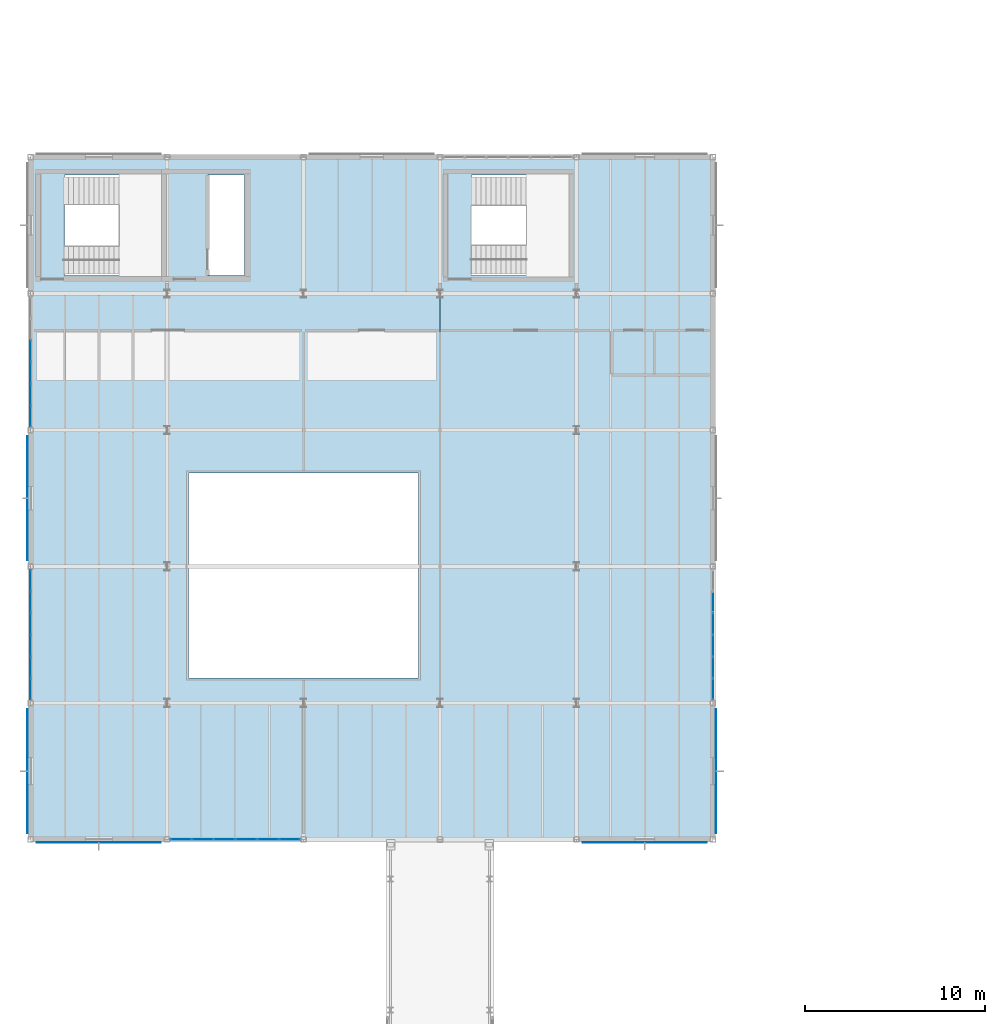
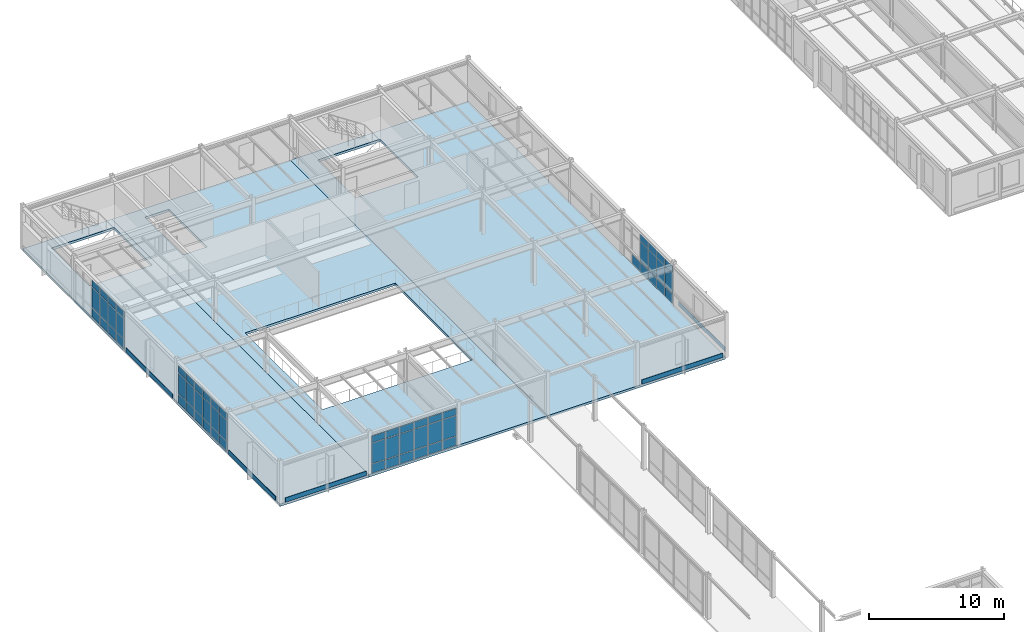
# One storey, part 125 of 165: 66 plates, 3 slabs, 4 elements without a shape of their own.
"""IFC4 building model written with IfcOpenShell, lengths in metres."""

from ifc_helpers import new_model, si_unit, direction, frame, origin, origin_2d, place, context, subcontext, project, spatial, polyline, rectangle, outline, extrude, material, layer, layer_set, type_object, element, aggregate, save


model = new_model("IFC4")

# Units and contexts
model_context = context("Model", 3, precision=1e-05, world=origin(), true_north=direction((0.0, 1.0)))
body_context = subcontext(model_context, "Body", "Model", "MODEL_VIEW")
ifc_project = project(units=[si_unit("LENGTHUNIT", "METRE"), si_unit("AREAUNIT", "SQUARE_METRE"), si_unit("VOLUMEUNIT", "CUBIC_METRE"), si_unit("PLANEANGLEUNIT", "RADIAN"), si_unit("MASSUNIT", "GRAM", prefix="KILO")], contexts=[model_context])

# Site, building, storey
site_placement = place(None, origin())
site = spatial("IfcSite", under=ifc_project, at=site_placement, CompositionType="ELEMENT")
building_placement = place(site_placement, origin())
building = spatial("IfcBuilding", under=site, at=building_placement, Name="Montecoro Central Library", CompositionType="ELEMENT")
storey_placement = place(building_placement, frame((0.0, 0.0, 5.10009765625)))
storey = spatial("IfcBuildingStorey", under=building, at=storey_placement, Name="L01", CompositionType="ELEMENT", Elevation=5.10009765625)

# Curtain wall, plates
ifc_material_1 = material(Name="Bronze-anodised aluminium and low-E glazing", Category="aluminium")
ifc_layer_1 = layer(ifc_material_1, 0.159912109375)
ifc_layer_set_1 = layer_set([ifc_layer_1], Name="Bronze-anodised aluminium and low-E glazing")
curtain_wall_type_1 = type_object("IfcCurtainWallType", Name="CWT-045", PredefinedType="NOTDEFINED", material=ifc_layer_set_1)
curtain_wall_1_placement = place(storey_placement, origin())
curtain_wall_1 = element("IfcCurtainWall", 1, at=curtain_wall_1_placement, inside=storey, type_object=curtain_wall_type_1, Name="V4-L01-CW-W3", PredefinedType="NOTDEFINED")
ifc_material_2 = material(Name="Laminated low-E double glazing", Category="glass")
ifc_layer_2 = layer(ifc_material_2, 0.02587890625)
ifc_layer_set_2 = layer_set([ifc_layer_2], Name="Laminated low-E double glazing")
plate_type_1 = type_object("IfcPlateType", Name="CWP-GLZ-01", PredefinedType="CURTAIN_PANEL", material=ifc_layer_set_2)
plate_1_placement = place(storey_placement, frame((5.0, 100.60791015625, 0.059814453125), z_axis=(0.0, 0.0, 1.0), x_axis=(0.0, -1.0, 0.0)))
plate_1 = element("IfcPlate", 2, at=plate_1_placement, type_object=plate_type_1, Name="CW-045 panel 3.1", PredefinedType="CURTAIN_PANEL", context=body_context, shape_type="SweptSolid", body=[
    extrude(rectangle(XDim=1.15576171875, YDim=0.02587890625, at=origin_2d()), origin(), (0.0, 0.0, 1.0), 0.81005859375),
])
plate_2_placement = place(storey_placement, frame((5.0, 100.60791015625, 0.9296875), z_axis=(0.0, 0.0, 1.0), x_axis=(0.0, -1.0, 0.0)))
plate_2 = element("IfcPlate", 3, at=plate_2_placement, type_object=plate_type_1, Name="CW-045 panel 3.2", PredefinedType="CURTAIN_PANEL", context=body_context, shape_type="SweptSolid", body=[
    extrude(rectangle(XDim=1.15576171875, YDim=0.02587890625, at=origin_2d()), origin(), (0.0, 0.0, 1.0), 1.820068359375),
])
plate_3_placement = place(storey_placement, frame((5.0, 100.60791015625, 2.81005859375), z_axis=(0.0, 0.0, 1.0), x_axis=(0.0, -1.0, 0.0)))
plate_3 = element("IfcPlate", 4, at=plate_3_placement, type_object=plate_type_1, Name="CW-045 panel 3.3", PredefinedType="CURTAIN_PANEL", context=body_context, shape_type="SweptSolid", body=[
    extrude(rectangle(XDim=1.15576171875, YDim=0.02587890625, at=origin_2d()), origin(), (0.0, 0.0, 1.0), 0.610107421875),
])
plate_4_placement = place(storey_placement, frame((5.0, 99.39208984375, 0.059814453125), z_axis=(0.0, 0.0, 1.0), x_axis=(0.0, -1.0, 0.0)))
plate_4 = element("IfcPlate", 5, at=plate_4_placement, type_object=plate_type_1, Name="CW-045 panel 4.1", PredefinedType="CURTAIN_PANEL", context=body_context, shape_type="SweptSolid", body=[
    extrude(rectangle(XDim=1.15576171875, YDim=0.02587890625, at=origin_2d()), origin(), (0.0, 0.0, 1.0), 0.81005859375),
])
plate_5_placement = place(storey_placement, frame((5.0, 99.39208984375, 0.9296875), z_axis=(0.0, 0.0, 1.0), x_axis=(0.0, -1.0, 0.0)))
plate_5 = element("IfcPlate", 6, at=plate_5_placement, type_object=plate_type_1, Name="CW-045 panel 4.2", PredefinedType="CURTAIN_PANEL", context=body_context, shape_type="SweptSolid", body=[
    extrude(rectangle(XDim=1.15576171875, YDim=0.02587890625, at=origin_2d()), origin(), (0.0, 0.0, 1.0), 1.820068359375),
])
plate_6_placement = place(storey_placement, frame((5.0, 99.39208984375, 2.81005859375), z_axis=(0.0, 0.0, 1.0), x_axis=(0.0, -1.0, 0.0)))
plate_6 = element("IfcPlate", 7, at=plate_6_placement, type_object=plate_type_1, Name="CW-045 panel 4.3", PredefinedType="CURTAIN_PANEL", context=body_context, shape_type="SweptSolid", body=[
    extrude(rectangle(XDim=1.15576171875, YDim=0.02587890625, at=origin_2d()), origin(), (0.0, 0.0, 1.0), 0.610107421875),
])
plate_7_placement = place(storey_placement, frame((5.0, 98.176513671875, 0.059814453125), z_axis=(0.0, 0.0, 1.0), x_axis=(0.0, -1.0, 0.0)))
plate_7 = element("IfcPlate", 8, at=plate_7_placement, type_object=plate_type_1, Name="CW-045 panel 5.1", PredefinedType="CURTAIN_PANEL", context=body_context, shape_type="SweptSolid", body=[
    extrude(rectangle(XDim=1.15576171875, YDim=0.02587890625, at=origin_2d()), origin(), (0.0, 0.0, 1.0), 0.81005859375),
])
plate_8_placement = place(storey_placement, frame((5.0, 98.176513671875, 0.9296875), z_axis=(0.0, 0.0, 1.0), x_axis=(0.0, -1.0, 0.0)))
plate_8 = element("IfcPlate", 9, at=plate_8_placement, type_object=plate_type_1, Name="CW-045 panel 5.2", PredefinedType="CURTAIN_PANEL", context=body_context, shape_type="SweptSolid", body=[
    extrude(rectangle(XDim=1.15576171875, YDim=0.02587890625, at=origin_2d()), origin(), (0.0, 0.0, 1.0), 1.820068359375),
])
plate_9_placement = place(storey_placement, frame((5.0, 98.176513671875, 2.81005859375), z_axis=(0.0, 0.0, 1.0), x_axis=(0.0, -1.0, 0.0)))
plate_9 = element("IfcPlate", 10, at=plate_9_placement, type_object=plate_type_1, Name="CW-045 panel 5.3", PredefinedType="CURTAIN_PANEL", context=body_context, shape_type="SweptSolid", body=[
    extrude(rectangle(XDim=1.15576171875, YDim=0.02587890625, at=origin_2d()), origin(), (0.0, 0.0, 1.0), 0.610107421875),
])
plate_10_placement = place(storey_placement, frame((5.0, 96.975830078125, 0.059814453125), z_axis=(0.0, 0.0, 1.0), x_axis=(0.0, -1.0, 0.0)))
plate_10 = element("IfcPlate", 11, at=plate_10_placement, type_object=plate_type_1, Name="CW-045 panel 6.1", PredefinedType="CURTAIN_PANEL", context=body_context, shape_type="SweptSolid", body=[
    extrude(rectangle(XDim=1.125732421875, YDim=0.02587890625, at=origin_2d()), origin(), (0.0, 0.0, 1.0), 0.81005859375),
])
plate_11_placement = place(storey_placement, frame((5.0, 96.975830078125, 0.9296875), z_axis=(0.0, 0.0, 1.0), x_axis=(0.0, -1.0, 0.0)))
plate_11 = element("IfcPlate", 12, at=plate_11_placement, type_object=plate_type_1, Name="CW-045 panel 6.2", PredefinedType="CURTAIN_PANEL", context=body_context, shape_type="SweptSolid", body=[
    extrude(rectangle(XDim=1.125732421875, YDim=0.02587890625, at=origin_2d()), origin(), (0.0, 0.0, 1.0), 1.820068359375),
])
plate_12_placement = place(storey_placement, frame((5.0, 96.975830078125, 2.81005859375), z_axis=(0.0, 0.0, 1.0), x_axis=(0.0, -1.0, 0.0)))
plate_12 = element("IfcPlate", 13, at=plate_12_placement, type_object=plate_type_1, Name="CW-045 panel 6.3", PredefinedType="CURTAIN_PANEL", context=body_context, shape_type="SweptSolid", body=[
    extrude(rectangle(XDim=1.125732421875, YDim=0.02587890625, at=origin_2d()), origin(), (0.0, 0.0, 1.0), 0.610107421875),
])
aggregate(curtain_wall_1, [plate_1, plate_2, plate_3, plate_4, plate_5, plate_6, plate_7, plate_8, plate_9, plate_10, plate_11, plate_12])

ifc_layer_3 = layer(ifc_material_1, 0.159912109375)
ifc_layer_set_3 = layer_set([ifc_layer_3], Name="Bronze-anodised aluminium and low-E glazing")
curtain_wall_type_2 = type_object("IfcCurtainWallType", Name="CWT-042", PredefinedType="NOTDEFINED", material=ifc_layer_set_3)
curtain_wall_2_placement = place(storey_placement, origin())
curtain_wall_2 = element("IfcCurtainWall", 14, at=curtain_wall_2_placement, inside=storey, type_object=curtain_wall_type_2, Name="V4-L01-CW-S1", PredefinedType="NOTDEFINED")
ifc_layer_4 = layer(ifc_material_2, 0.0380859375)
ifc_layer_set_4 = layer_set([ifc_layer_4], Name="Laminated low-E double glazing")
plate_type_2 = type_object("IfcPlateType", Name="CWP-GLZ-04", PredefinedType="CURTAIN_PANEL", material=ifc_layer_set_4)
plate_13_placement = place(storey_placement, frame((13.375732421875, 73.39990234375, 0.059814453125), z_axis=(0.0, 0.0, 1.0), x_axis=(1.0, 0.0, 0.0)))
plate_13 = element("IfcPlate", 15, at=plate_13_placement, type_object=plate_type_2, Name="CW-042 panel 1.1", PredefinedType="CURTAIN_PANEL", context=body_context, shape_type="SweptSolid", body=[
    extrude(rectangle(XDim=1.125732421875, YDim=0.0380859375, at=origin_2d()), origin(), (0.0, 0.0, 1.0), 0.81005859375),
])
plate_14_placement = place(storey_placement, frame((13.375732421875, 73.39990234375, 0.9296875), z_axis=(0.0, 0.0, 1.0), x_axis=(1.0, 0.0, 0.0)))
plate_14 = element("IfcPlate", 16, at=plate_14_placement, type_object=plate_type_2, Name="CW-042 panel 1.2", PredefinedType="CURTAIN_PANEL", context=body_context, shape_type="SweptSolid", body=[
    extrude(rectangle(XDim=1.125732421875, YDim=0.0380859375, at=origin_2d()), origin(), (0.0, 0.0, 1.0), 1.820068359375),
])
plate_15_placement = place(storey_placement, frame((13.375732421875, 73.39990234375, 2.81005859375), z_axis=(0.0, 0.0, 1.0), x_axis=(1.0, 0.0, 0.0)))
plate_15 = element("IfcPlate", 17, at=plate_15_placement, type_object=plate_type_2, Name="CW-042 panel 1.3", PredefinedType="CURTAIN_PANEL", context=body_context, shape_type="SweptSolid", body=[
    extrude(rectangle(XDim=1.125732421875, YDim=0.0380859375, at=origin_2d()), origin(), (0.0, 0.0, 1.0), 0.610107421875),
])
plate_16_placement = place(storey_placement, frame((14.576416015625, 73.39990234375, 0.059814453125), z_axis=(0.0, 0.0, 1.0), x_axis=(1.0, 0.0, 0.0)))
plate_16 = element("IfcPlate", 18, at=plate_16_placement, type_object=plate_type_2, Name="CW-042 panel 2.1", PredefinedType="CURTAIN_PANEL", context=body_context, shape_type="SweptSolid", body=[
    extrude(rectangle(XDim=1.15576171875, YDim=0.0380859375, at=origin_2d()), origin(), (0.0, 0.0, 1.0), 0.81005859375),
])
plate_17_placement = place(storey_placement, frame((14.576416015625, 73.39990234375, 0.9296875), z_axis=(0.0, 0.0, 1.0), x_axis=(1.0, 0.0, 0.0)))
plate_17 = element("IfcPlate", 19, at=plate_17_placement, type_object=plate_type_2, Name="CW-042 panel 2.2", PredefinedType="CURTAIN_PANEL", context=body_context, shape_type="SweptSolid", body=[
    extrude(rectangle(XDim=1.15576171875, YDim=0.0380859375, at=origin_2d()), origin(), (0.0, 0.0, 1.0), 1.820068359375),
])
plate_18_placement = place(storey_placement, frame((14.576416015625, 73.39990234375, 2.81005859375), z_axis=(0.0, 0.0, 1.0), x_axis=(1.0, 0.0, 0.0)))
plate_18 = element("IfcPlate", 20, at=plate_18_placement, type_object=plate_type_2, Name="CW-042 panel 2.3", PredefinedType="CURTAIN_PANEL", context=body_context, shape_type="SweptSolid", body=[
    extrude(rectangle(XDim=1.15576171875, YDim=0.0380859375, at=origin_2d()), origin(), (0.0, 0.0, 1.0), 0.610107421875),
])
plate_19_placement = place(storey_placement, frame((15.792236328125, 73.39990234375, 0.059814453125), z_axis=(0.0, 0.0, 1.0), x_axis=(1.0, 0.0, 0.0)))
plate_19 = element("IfcPlate", 21, at=plate_19_placement, type_object=plate_type_2, Name="CW-042 panel 3.1", PredefinedType="CURTAIN_PANEL", context=body_context, shape_type="SweptSolid", body=[
    extrude(rectangle(XDim=1.15576171875, YDim=0.0380859375, at=origin_2d()), origin(), (0.0, 0.0, 1.0), 0.81005859375),
])
plate_20_placement = place(storey_placement, frame((15.792236328125, 73.39990234375, 0.9296875), z_axis=(0.0, 0.0, 1.0), x_axis=(1.0, 0.0, 0.0)))
plate_20 = element("IfcPlate", 22, at=plate_20_placement, type_object=plate_type_2, Name="CW-042 panel 3.2", PredefinedType="CURTAIN_PANEL", context=body_context, shape_type="SweptSolid", body=[
    extrude(rectangle(XDim=1.15576171875, YDim=0.0380859375, at=origin_2d()), origin(), (0.0, 0.0, 1.0), 1.820068359375),
])
plate_21_placement = place(storey_placement, frame((15.792236328125, 73.39990234375, 2.81005859375), z_axis=(0.0, 0.0, 1.0), x_axis=(1.0, 0.0, 0.0)))
plate_21 = element("IfcPlate", 23, at=plate_21_placement, type_object=plate_type_2, Name="CW-042 panel 3.3", PredefinedType="CURTAIN_PANEL", context=body_context, shape_type="SweptSolid", body=[
    extrude(rectangle(XDim=1.15576171875, YDim=0.0380859375, at=origin_2d()), origin(), (0.0, 0.0, 1.0), 0.610107421875),
])
plate_22_placement = place(storey_placement, frame((17.0078125, 73.39990234375, 0.059814453125), z_axis=(0.0, 0.0, 1.0), x_axis=(1.0, 0.0, 0.0)))
plate_22 = element("IfcPlate", 24, at=plate_22_placement, type_object=plate_type_2, Name="CW-042 panel 4.1", PredefinedType="CURTAIN_PANEL", context=body_context, shape_type="SweptSolid", body=[
    extrude(rectangle(XDim=1.15576171875, YDim=0.0380859375, at=origin_2d()), origin(), (0.0, 0.0, 1.0), 0.81005859375),
])
plate_23_placement = place(storey_placement, frame((17.0078125, 73.39990234375, 0.9296875), z_axis=(0.0, 0.0, 1.0), x_axis=(1.0, 0.0, 0.0)))
plate_23 = element("IfcPlate", 25, at=plate_23_placement, type_object=plate_type_2, Name="CW-042 panel 4.2", PredefinedType="CURTAIN_PANEL", context=body_context, shape_type="SweptSolid", body=[
    extrude(rectangle(XDim=1.15576171875, YDim=0.0380859375, at=origin_2d()), origin(), (0.0, 0.0, 1.0), 1.820068359375),
])
plate_24_placement = place(storey_placement, frame((17.0078125, 73.39990234375, 2.81005859375), z_axis=(0.0, 0.0, 1.0), x_axis=(1.0, 0.0, 0.0)))
plate_24 = element("IfcPlate", 26, at=plate_24_placement, type_object=plate_type_2, Name="CW-042 panel 4.3", PredefinedType="CURTAIN_PANEL", context=body_context, shape_type="SweptSolid", body=[
    extrude(rectangle(XDim=1.15576171875, YDim=0.0380859375, at=origin_2d()), origin(), (0.0, 0.0, 1.0), 0.610107421875),
])
plate_25_placement = place(storey_placement, frame((18.223388671875, 73.39990234375, 0.059814453125), z_axis=(0.0, 0.0, 1.0), x_axis=(1.0, 0.0, 0.0)))
plate_25 = element("IfcPlate", 27, at=plate_25_placement, type_object=plate_type_2, Name="CW-042 panel 5.1", PredefinedType="CURTAIN_PANEL", context=body_context, shape_type="SweptSolid", body=[
    extrude(rectangle(XDim=1.15576171875, YDim=0.0380859375, at=origin_2d()), origin(), (0.0, 0.0, 1.0), 0.81005859375),
])
plate_26_placement = place(storey_placement, frame((18.223388671875, 73.39990234375, 0.9296875), z_axis=(0.0, 0.0, 1.0), x_axis=(1.0, 0.0, 0.0)))
plate_26 = element("IfcPlate", 28, at=plate_26_placement, type_object=plate_type_2, Name="CW-042 panel 5.2", PredefinedType="CURTAIN_PANEL", context=body_context, shape_type="SweptSolid", body=[
    extrude(rectangle(XDim=1.15576171875, YDim=0.0380859375, at=origin_2d()), origin(), (0.0, 0.0, 1.0), 1.820068359375),
])
plate_27_placement = place(storey_placement, frame((18.223388671875, 73.39990234375, 2.81005859375), z_axis=(0.0, 0.0, 1.0), x_axis=(1.0, 0.0, 0.0)))
plate_27 = element("IfcPlate", 29, at=plate_27_placement, type_object=plate_type_2, Name="CW-042 panel 5.3", PredefinedType="CURTAIN_PANEL", context=body_context, shape_type="SweptSolid", body=[
    extrude(rectangle(XDim=1.15576171875, YDim=0.0380859375, at=origin_2d()), origin(), (0.0, 0.0, 1.0), 0.610107421875),
])
plate_28_placement = place(storey_placement, frame((19.424072265625, 73.39990234375, 0.059814453125), z_axis=(0.0, 0.0, 1.0), x_axis=(1.0, 0.0, 0.0)))
plate_28 = element("IfcPlate", 30, at=plate_28_placement, type_object=plate_type_2, Name="CW-042 panel 6.1", PredefinedType="CURTAIN_PANEL", context=body_context, shape_type="SweptSolid", body=[
    extrude(rectangle(XDim=1.125732421875, YDim=0.0380859375, at=origin_2d()), origin(), (0.0, 0.0, 1.0), 0.81005859375),
])
plate_29_placement = place(storey_placement, frame((19.424072265625, 73.39990234375, 0.9296875), z_axis=(0.0, 0.0, 1.0), x_axis=(1.0, 0.0, 0.0)))
plate_29 = element("IfcPlate", 31, at=plate_29_placement, type_object=plate_type_2, Name="CW-042 panel 6.2", PredefinedType="CURTAIN_PANEL", context=body_context, shape_type="SweptSolid", body=[
    extrude(rectangle(XDim=1.125732421875, YDim=0.0380859375, at=origin_2d()), origin(), (0.0, 0.0, 1.0), 1.820068359375),
])
plate_30_placement = place(storey_placement, frame((19.424072265625, 73.39990234375, 2.81005859375), z_axis=(0.0, 0.0, 1.0), x_axis=(1.0, 0.0, 0.0)))
plate_30 = element("IfcPlate", 32, at=plate_30_placement, type_object=plate_type_2, Name="CW-042 panel 6.3", PredefinedType="CURTAIN_PANEL", context=body_context, shape_type="SweptSolid", body=[
    extrude(rectangle(XDim=1.125732421875, YDim=0.0380859375, at=origin_2d()), origin(), (0.0, 0.0, 1.0), 0.610107421875),
])
aggregate(curtain_wall_2, [plate_13, plate_14, plate_15, plate_16, plate_17, plate_18, plate_19, plate_20, plate_21, plate_22, plate_23, plate_24, plate_25, plate_26, plate_27, plate_28, plate_29, plate_30])

ifc_layer_5 = layer(ifc_material_1, 0.159912109375)
ifc_layer_set_5 = layer_set([ifc_layer_5], Name="Bronze-anodised aluminium and low-E glazing")
curtain_wall_type_3 = type_object("IfcCurtainWallType", Name="CWT-043", PredefinedType="NOTDEFINED", material=ifc_layer_set_5)
curtain_wall_3_placement = place(storey_placement, origin())
curtain_wall_3 = element("IfcCurtainWall", 33, at=curtain_wall_3_placement, inside=storey, type_object=curtain_wall_type_3, Name="V4-L01-CW-E1", PredefinedType="NOTDEFINED")
plate_31_placement = place(storey_placement, frame((43.0, 81.77587890625, 0.059814453125), z_axis=(0.0, 0.0, 1.0), x_axis=(0.0, 1.0, 0.0)))
plate_31 = element("IfcPlate", 34, at=plate_31_placement, type_object=plate_type_2, Name="CW-043 panel 1.1", PredefinedType="CURTAIN_PANEL", context=body_context, shape_type="SweptSolid", body=[
    extrude(rectangle(XDim=1.125732421875, YDim=0.0380859375, at=origin_2d()), origin(), (0.0, 0.0, 1.0), 0.81005859375),
])
plate_32_placement = place(storey_placement, frame((43.0, 81.77587890625, 0.9296875), z_axis=(0.0, 0.0, 1.0), x_axis=(0.0, 1.0, 0.0)))
plate_32 = element("IfcPlate", 35, at=plate_32_placement, type_object=plate_type_2, Name="CW-043 panel 1.2", PredefinedType="CURTAIN_PANEL", context=body_context, shape_type="SweptSolid", body=[
    extrude(rectangle(XDim=1.125732421875, YDim=0.0380859375, at=origin_2d()), origin(), (0.0, 0.0, 1.0), 1.820068359375),
])
plate_33_placement = place(storey_placement, frame((43.0, 81.77587890625, 2.81005859375), z_axis=(0.0, 0.0, 1.0), x_axis=(0.0, 1.0, 0.0)))
plate_33 = element("IfcPlate", 36, at=plate_33_placement, type_object=plate_type_2, Name="CW-043 panel 1.3", PredefinedType="CURTAIN_PANEL", context=body_context, shape_type="SweptSolid", body=[
    extrude(rectangle(XDim=1.125732421875, YDim=0.0380859375, at=origin_2d()), origin(), (0.0, 0.0, 1.0), 0.610107421875),
])
plate_34_placement = place(storey_placement, frame((43.0, 82.9765625, 0.059814453125), z_axis=(0.0, 0.0, 1.0), x_axis=(0.0, 1.0, 0.0)))
plate_34 = element("IfcPlate", 37, at=plate_34_placement, type_object=plate_type_2, Name="CW-043 panel 2.1", PredefinedType="CURTAIN_PANEL", context=body_context, shape_type="SweptSolid", body=[
    extrude(rectangle(XDim=1.15576171875, YDim=0.0380859375, at=origin_2d()), origin(), (0.0, 0.0, 1.0), 0.81005859375),
])
plate_35_placement = place(storey_placement, frame((43.0, 82.9765625, 0.9296875), z_axis=(0.0, 0.0, 1.0), x_axis=(0.0, 1.0, 0.0)))
plate_35 = element("IfcPlate", 38, at=plate_35_placement, type_object=plate_type_2, Name="CW-043 panel 2.2", PredefinedType="CURTAIN_PANEL", context=body_context, shape_type="SweptSolid", body=[
    extrude(rectangle(XDim=1.15576171875, YDim=0.0380859375, at=origin_2d()), origin(), (0.0, 0.0, 1.0), 1.820068359375),
])
plate_36_placement = place(storey_placement, frame((43.0, 82.9765625, 2.81005859375), z_axis=(0.0, 0.0, 1.0), x_axis=(0.0, 1.0, 0.0)))
plate_36 = element("IfcPlate", 39, at=plate_36_placement, type_object=plate_type_2, Name="CW-043 panel 2.3", PredefinedType="CURTAIN_PANEL", context=body_context, shape_type="SweptSolid", body=[
    extrude(rectangle(XDim=1.15576171875, YDim=0.0380859375, at=origin_2d()), origin(), (0.0, 0.0, 1.0), 0.610107421875),
])
plate_37_placement = place(storey_placement, frame((43.0, 84.192138671875, 0.059814453125), z_axis=(0.0, 0.0, 1.0), x_axis=(0.0, 1.0, 0.0)))
plate_37 = element("IfcPlate", 40, at=plate_37_placement, type_object=plate_type_2, Name="CW-043 panel 3.1", PredefinedType="CURTAIN_PANEL", context=body_context, shape_type="SweptSolid", body=[
    extrude(rectangle(XDim=1.15576171875, YDim=0.0380859375, at=origin_2d()), origin(), (0.0, 0.0, 1.0), 0.81005859375),
])
plate_38_placement = place(storey_placement, frame((43.0, 84.192138671875, 0.9296875), z_axis=(0.0, 0.0, 1.0), x_axis=(0.0, 1.0, 0.0)))
plate_38 = element("IfcPlate", 41, at=plate_38_placement, type_object=plate_type_2, Name="CW-043 panel 3.2", PredefinedType="CURTAIN_PANEL", context=body_context, shape_type="SweptSolid", body=[
    extrude(rectangle(XDim=1.15576171875, YDim=0.0380859375, at=origin_2d()), origin(), (0.0, 0.0, 1.0), 1.820068359375),
])
plate_39_placement = place(storey_placement, frame((43.0, 84.192138671875, 2.81005859375), z_axis=(0.0, 0.0, 1.0), x_axis=(0.0, 1.0, 0.0)))
plate_39 = element("IfcPlate", 42, at=plate_39_placement, type_object=plate_type_2, Name="CW-043 panel 3.3", PredefinedType="CURTAIN_PANEL", context=body_context, shape_type="SweptSolid", body=[
    extrude(rectangle(XDim=1.15576171875, YDim=0.0380859375, at=origin_2d()), origin(), (0.0, 0.0, 1.0), 0.610107421875),
])
plate_40_placement = place(storey_placement, frame((43.0, 85.40771484375, 0.059814453125), z_axis=(0.0, 0.0, 1.0), x_axis=(0.0, 1.0, 0.0)))
plate_40 = element("IfcPlate", 43, at=plate_40_placement, type_object=plate_type_2, Name="CW-043 panel 4.1", PredefinedType="CURTAIN_PANEL", context=body_context, shape_type="SweptSolid", body=[
    extrude(rectangle(XDim=1.15576171875, YDim=0.0380859375, at=origin_2d()), origin(), (0.0, 0.0, 1.0), 0.81005859375),
])
plate_41_placement = place(storey_placement, frame((43.0, 85.40771484375, 0.9296875), z_axis=(0.0, 0.0, 1.0), x_axis=(0.0, 1.0, 0.0)))
plate_41 = element("IfcPlate", 44, at=plate_41_placement, type_object=plate_type_2, Name="CW-043 panel 4.2", PredefinedType="CURTAIN_PANEL", context=body_context, shape_type="SweptSolid", body=[
    extrude(rectangle(XDim=1.15576171875, YDim=0.0380859375, at=origin_2d()), origin(), (0.0, 0.0, 1.0), 1.820068359375),
])
plate_42_placement = place(storey_placement, frame((43.0, 85.40771484375, 2.81005859375), z_axis=(0.0, 0.0, 1.0), x_axis=(0.0, 1.0, 0.0)))
plate_42 = element("IfcPlate", 45, at=plate_42_placement, type_object=plate_type_2, Name="CW-043 panel 4.3", PredefinedType="CURTAIN_PANEL", context=body_context, shape_type="SweptSolid", body=[
    extrude(rectangle(XDim=1.15576171875, YDim=0.0380859375, at=origin_2d()), origin(), (0.0, 0.0, 1.0), 0.610107421875),
])
plate_43_placement = place(storey_placement, frame((43.0, 86.62353515625, 0.059814453125), z_axis=(0.0, 0.0, 1.0), x_axis=(0.0, 1.0, 0.0)))
plate_43 = element("IfcPlate", 46, at=plate_43_placement, type_object=plate_type_2, Name="CW-043 panel 5.1", PredefinedType="CURTAIN_PANEL", context=body_context, shape_type="SweptSolid", body=[
    extrude(rectangle(XDim=1.15576171875, YDim=0.0380859375, at=origin_2d()), origin(), (0.0, 0.0, 1.0), 0.81005859375),
])
aggregate(curtain_wall_3, [plate_31, plate_32, plate_33, plate_34, plate_35, plate_36, plate_37, plate_38, plate_39, plate_40, plate_41, plate_42, plate_43])

curtain_wall_4_placement = place(storey_placement, origin())
curtain_wall_4 = element("IfcCurtainWall", 47, at=curtain_wall_4_placement, inside=storey, type_object=curtain_wall_type_1, Name="V4-L01-CW-W1", PredefinedType="NOTDEFINED")
plate_44_placement = place(storey_placement, frame((5.0, 87.82421875, 0.059814453125), z_axis=(0.0, 0.0, 1.0), x_axis=(0.0, -1.0, 0.0)))
plate_44 = element("IfcPlate", 48, at=plate_44_placement, type_object=plate_type_2, Name="CW-045 panel 1.1", PredefinedType="CURTAIN_PANEL", context=body_context, shape_type="SweptSolid", body=[
    extrude(rectangle(XDim=1.125732421875, YDim=0.0380859375, at=origin_2d()), origin(), (0.0, 0.0, 1.0), 0.81005859375),
])
plate_45_placement = place(storey_placement, frame((5.0, 87.82421875, 0.9296875), z_axis=(0.0, 0.0, 1.0), x_axis=(0.0, -1.0, 0.0)))
plate_45 = element("IfcPlate", 49, at=plate_45_placement, type_object=plate_type_2, Name="CW-045 panel 1.2", PredefinedType="CURTAIN_PANEL", context=body_context, shape_type="SweptSolid", body=[
    extrude(rectangle(XDim=1.125732421875, YDim=0.0380859375, at=origin_2d()), origin(), (0.0, 0.0, 1.0), 1.820068359375),
])
plate_46_placement = place(storey_placement, frame((5.0, 87.82421875, 2.81005859375), z_axis=(0.0, 0.0, 1.0), x_axis=(0.0, -1.0, 0.0)))
plate_46 = element("IfcPlate", 50, at=plate_46_placement, type_object=plate_type_2, Name="CW-045 panel 1.3", PredefinedType="CURTAIN_PANEL", context=body_context, shape_type="SweptSolid", body=[
    extrude(rectangle(XDim=1.125732421875, YDim=0.0380859375, at=origin_2d()), origin(), (0.0, 0.0, 1.0), 0.610107421875),
])
plate_47_placement = place(storey_placement, frame((5.0, 86.62353515625, 0.059814453125), z_axis=(0.0, 0.0, 1.0), x_axis=(0.0, -1.0, 0.0)))
plate_47 = element("IfcPlate", 51, at=plate_47_placement, type_object=plate_type_2, Name="CW-045 panel 2.1", PredefinedType="CURTAIN_PANEL", context=body_context, shape_type="SweptSolid", body=[
    extrude(rectangle(XDim=1.15576171875, YDim=0.0380859375, at=origin_2d()), origin(), (0.0, 0.0, 1.0), 0.81005859375),
])
plate_48_placement = place(storey_placement, frame((5.0, 86.62353515625, 0.9296875), z_axis=(0.0, 0.0, 1.0), x_axis=(0.0, -1.0, 0.0)))
plate_48 = element("IfcPlate", 52, at=plate_48_placement, type_object=plate_type_2, Name="CW-045 panel 2.2", PredefinedType="CURTAIN_PANEL", context=body_context, shape_type="SweptSolid", body=[
    extrude(rectangle(XDim=1.15576171875, YDim=0.0380859375, at=origin_2d()), origin(), (0.0, 0.0, 1.0), 1.820068359375),
])
plate_49_placement = place(storey_placement, frame((5.0, 86.62353515625, 2.81005859375), z_axis=(0.0, 0.0, 1.0), x_axis=(0.0, -1.0, 0.0)))
plate_49 = element("IfcPlate", 53, at=plate_49_placement, type_object=plate_type_2, Name="CW-045 panel 2.3", PredefinedType="CURTAIN_PANEL", context=body_context, shape_type="SweptSolid", body=[
    extrude(rectangle(XDim=1.15576171875, YDim=0.0380859375, at=origin_2d()), origin(), (0.0, 0.0, 1.0), 0.610107421875),
])
plate_50_placement = place(storey_placement, frame((5.0, 85.40771484375, 0.059814453125), z_axis=(0.0, 0.0, 1.0), x_axis=(0.0, -1.0, 0.0)))
plate_50 = element("IfcPlate", 54, at=plate_50_placement, type_object=plate_type_2, Name="CW-045 panel 3.1", PredefinedType="CURTAIN_PANEL", context=body_context, shape_type="SweptSolid", body=[
    extrude(rectangle(XDim=1.15576171875, YDim=0.0380859375, at=origin_2d()), origin(), (0.0, 0.0, 1.0), 0.81005859375),
])
plate_51_placement = place(storey_placement, frame((5.0, 85.40771484375, 0.9296875), z_axis=(0.0, 0.0, 1.0), x_axis=(0.0, -1.0, 0.0)))
plate_51 = element("IfcPlate", 55, at=plate_51_placement, type_object=plate_type_2, Name="CW-045 panel 3.2", PredefinedType="CURTAIN_PANEL", context=body_context, shape_type="SweptSolid", body=[
    extrude(rectangle(XDim=1.15576171875, YDim=0.0380859375, at=origin_2d()), origin(), (0.0, 0.0, 1.0), 1.820068359375),
])
plate_52_placement = place(storey_placement, frame((5.0, 85.40771484375, 2.81005859375), z_axis=(0.0, 0.0, 1.0), x_axis=(0.0, -1.0, 0.0)))
plate_52 = element("IfcPlate", 56, at=plate_52_placement, type_object=plate_type_2, Name="CW-045 panel 3.3", PredefinedType="CURTAIN_PANEL", context=body_context, shape_type="SweptSolid", body=[
    extrude(rectangle(XDim=1.15576171875, YDim=0.0380859375, at=origin_2d()), origin(), (0.0, 0.0, 1.0), 0.610107421875),
])
plate_53_placement = place(storey_placement, frame((5.0, 84.192138671875, 0.059814453125), z_axis=(0.0, 0.0, 1.0), x_axis=(0.0, -1.0, 0.0)))
plate_53 = element("IfcPlate", 57, at=plate_53_placement, type_object=plate_type_2, Name="CW-045 panel 4.1", PredefinedType="CURTAIN_PANEL", context=body_context, shape_type="SweptSolid", body=[
    extrude(rectangle(XDim=1.15576171875, YDim=0.0380859375, at=origin_2d()), origin(), (0.0, 0.0, 1.0), 0.81005859375),
])
plate_54_placement = place(storey_placement, frame((5.0, 84.192138671875, 0.9296875), z_axis=(0.0, 0.0, 1.0), x_axis=(0.0, -1.0, 0.0)))
plate_54 = element("IfcPlate", 58, at=plate_54_placement, type_object=plate_type_2, Name="CW-045 panel 4.2", PredefinedType="CURTAIN_PANEL", context=body_context, shape_type="SweptSolid", body=[
    extrude(rectangle(XDim=1.15576171875, YDim=0.0380859375, at=origin_2d()), origin(), (0.0, 0.0, 1.0), 1.820068359375),
])
plate_55_placement = place(storey_placement, frame((5.0, 84.192138671875, 2.81005859375), z_axis=(0.0, 0.0, 1.0), x_axis=(0.0, -1.0, 0.0)))
plate_55 = element("IfcPlate", 59, at=plate_55_placement, type_object=plate_type_2, Name="CW-045 panel 4.3", PredefinedType="CURTAIN_PANEL", context=body_context, shape_type="SweptSolid", body=[
    extrude(rectangle(XDim=1.15576171875, YDim=0.0380859375, at=origin_2d()), origin(), (0.0, 0.0, 1.0), 0.610107421875),
])
plate_56_placement = place(storey_placement, frame((5.0, 82.9765625, 0.059814453125), z_axis=(0.0, 0.0, 1.0), x_axis=(0.0, -1.0, 0.0)))
plate_56 = element("IfcPlate", 60, at=plate_56_placement, type_object=plate_type_2, Name="CW-045 panel 5.1", PredefinedType="CURTAIN_PANEL", context=body_context, shape_type="SweptSolid", body=[
    extrude(rectangle(XDim=1.15576171875, YDim=0.0380859375, at=origin_2d()), origin(), (0.0, 0.0, 1.0), 0.81005859375),
])
plate_57_placement = place(storey_placement, frame((5.0, 82.9765625, 0.9296875), z_axis=(0.0, 0.0, 1.0), x_axis=(0.0, -1.0, 0.0)))
plate_57 = element("IfcPlate", 61, at=plate_57_placement, type_object=plate_type_2, Name="CW-045 panel 5.2", PredefinedType="CURTAIN_PANEL", context=body_context, shape_type="SweptSolid", body=[
    extrude(rectangle(XDim=1.15576171875, YDim=0.0380859375, at=origin_2d()), origin(), (0.0, 0.0, 1.0), 1.820068359375),
])
plate_58_placement = place(storey_placement, frame((5.0, 82.9765625, 2.81005859375), z_axis=(0.0, 0.0, 1.0), x_axis=(0.0, -1.0, 0.0)))
plate_58 = element("IfcPlate", 62, at=plate_58_placement, type_object=plate_type_2, Name="CW-045 panel 5.3", PredefinedType="CURTAIN_PANEL", context=body_context, shape_type="SweptSolid", body=[
    extrude(rectangle(XDim=1.15576171875, YDim=0.0380859375, at=origin_2d()), origin(), (0.0, 0.0, 1.0), 0.610107421875),
])
plate_59_placement = place(storey_placement, frame((5.0, 81.77587890625, 0.059814453125), z_axis=(0.0, 0.0, 1.0), x_axis=(0.0, -1.0, 0.0)))
plate_59 = element("IfcPlate", 63, at=plate_59_placement, type_object=plate_type_2, Name="CW-045 panel 6.1", PredefinedType="CURTAIN_PANEL", context=body_context, shape_type="SweptSolid", body=[
    extrude(rectangle(XDim=1.125732421875, YDim=0.0380859375, at=origin_2d()), origin(), (0.0, 0.0, 1.0), 0.81005859375),
])
plate_60_placement = place(storey_placement, frame((5.0, 81.77587890625, 0.9296875), z_axis=(0.0, 0.0, 1.0), x_axis=(0.0, -1.0, 0.0)))
plate_60 = element("IfcPlate", 64, at=plate_60_placement, type_object=plate_type_2, Name="CW-045 panel 6.2", PredefinedType="CURTAIN_PANEL", context=body_context, shape_type="SweptSolid", body=[
    extrude(rectangle(XDim=1.125732421875, YDim=0.0380859375, at=origin_2d()), origin(), (0.0, 0.0, 1.0), 1.820068359375),
])
plate_61_placement = place(storey_placement, frame((5.0, 81.77587890625, 2.81005859375), z_axis=(0.0, 0.0, 1.0), x_axis=(0.0, -1.0, 0.0)))
plate_61 = element("IfcPlate", 65, at=plate_61_placement, type_object=plate_type_2, Name="CW-045 panel 6.3", PredefinedType="CURTAIN_PANEL", context=body_context, shape_type="SweptSolid", body=[
    extrude(rectangle(XDim=1.125732421875, YDim=0.0380859375, at=origin_2d()), origin(), (0.0, 0.0, 1.0), 0.610107421875),
])
aggregate(curtain_wall_4, [plate_44, plate_45, plate_46, plate_47, plate_48, plate_49, plate_50, plate_51, plate_52, plate_53, plate_54, plate_55, plate_56, plate_57, plate_58, plate_59, plate_60, plate_61])

# Plates
ifc_material_3 = material(Name="Architectural bronze spandrel plate", Category="aluminium")
ifc_layer_6 = layer(ifc_material_3, 0.02197265625)
ifc_layer_set_6 = layer_set([ifc_layer_6], Name="Architectural bronze spandrel plate")
plate_type_3 = type_object("IfcPlateType", Name="PLT-SPN-01", PredefinedType="SHEET", material=ifc_layer_set_6)
plate_62_placement = place(storey_placement, frame((4.833984375, 92.39990234375, 0.159912109375), z_axis=(0.0, 0.0, 1.0), x_axis=(0.0, -1.0, 0.0)))
element("IfcPlate", 66, at=plate_62_placement, inside=storey, type_object=plate_type_3, Name="V4-L01-SPN-W2", PredefinedType="SHEET", context=body_context, shape_type="SweptSolid", body=[
    extrude(rectangle(XDim=6.89404296875, YDim=0.02197265625, at=origin_2d()), origin(), (0.0, 0.0, 1.0), 0.39990234375),
])
ifc_layer_7 = layer(ifc_material_3, 0.035888671875)
ifc_layer_set_7 = layer_set([ifc_layer_7], Name="Architectural bronze spandrel plate")
plate_type_4 = type_object("IfcPlateType", Name="PLT-SPN-03", PredefinedType="SHEET", material=ifc_layer_set_7)
for number, where, z_axis, x_axis, name in (
    (67, (8.800048828125, 73.22705078125, 0.159912109375), (0.0, 0.0, 1.0), (1.0, 0.0, 0.0), "V4-L01-SPN-S0"),
    (68, (39.199951171875, 73.22705078125, 0.159912109375), (0.0, 0.0, 1.0), (1.0, 0.0, 0.0), "V4-L01-SPN-S4"),
    (69, (43.173095703125, 77.199951171875, 0.159912109375), (0.0, 0.0, 1.0), (0.0, 1.0, 0.0), "V4-L01-SPN-E0"),
    (70, (4.826904296875, 77.199951171875, 0.159912109375), (0.0, 0.0, 1.0), (0.0, -1.0, 0.0), "V4-L01-SPN-W0"),
):
    element("IfcPlate", number, at=place(storey_placement, frame(where, z_axis=z_axis, x_axis=x_axis)), inside=storey, type_object=plate_type_4, Name=name, PredefinedType="SHEET", context=body_context, shape_type="SweptSolid", body=[
        extrude(rectangle(XDim=6.89404296875, YDim=0.035888671875, at=origin_2d()), origin(), (0.0, 0.0, 1.0), 0.39990234375),
    ])

# Slabs
ifc_material_4 = material(Name="Concrete C32/40", Category="concrete")
ifc_layer_8 = layer(ifc_material_4, 0.215087890625)
ifc_layer_set_8 = layer_set([ifc_layer_8], Name="Concrete C32/40")
slab_type = type_object("IfcSlabType", Name="SL-FLR-215", PredefinedType="FLOOR", material=ifc_layer_set_8)
slab_1_placement = place(storey_placement, frame((0.0, 0.0, -0.215087890625)))
element("IfcSlab", 71, at=slab_1_placement, inside=storey, type_object=slab_type, Name="V4-L01-SL1", PredefinedType="FLOOR", context=body_context, shape_type="SweptSolid", body=[
    extrude(outline(polyline([(5.0, 73.39990234375), (12.60009765625, 73.39990234375), (12.60009765625, 111.39990234375), (5.0, 111.39990234375), (5.0, 73.39990234375)]), holes=[polyline([(6.8798828125, 110.39990234375), (12.219970703125, 110.39990234375), (12.219970703125, 104.800048828125), (6.8798828125, 104.800048828125), (6.8798828125, 110.39990234375)])]), origin(), (0.0, 0.0, 1.0), 0.215087890625),
])
slab_2_placement = place(storey_placement, frame((0.0, 0.0, -0.215087890625)))
element("IfcSlab", 72, at=slab_2_placement, inside=storey, type_object=slab_type, Name="V4-L01-SL2", PredefinedType="FLOOR", context=body_context, shape_type="SweptSolid", body=[
    extrude(outline(polyline([(12.60009765625, 73.39990234375), (27.800048828125, 73.39990234375), (27.800048828125, 111.39990234375), (12.60009765625, 111.39990234375), (12.60009765625, 73.39990234375)]), holes=[polyline([(14.85009765625, 110.39990234375), (16.89990234375, 110.39990234375), (16.89990234375, 104.800048828125), (14.85009765625, 104.800048828125), (14.85009765625, 110.39990234375)]), polyline([(13.800048828125, 93.800048828125), (26.60009765625, 93.800048828125), (26.60009765625, 82.39990234375), (13.800048828125, 82.39990234375), (13.800048828125, 93.800048828125)])]), origin(), (0.0, 0.0, 1.0), 0.215087890625),
])
slab_3_placement = place(storey_placement, frame((0.0, 0.0, -0.215087890625)))
element("IfcSlab", 73, at=slab_3_placement, inside=storey, type_object=slab_type, Name="V4-L01-SL3", PredefinedType="FLOOR", context=body_context, shape_type="SweptSolid", body=[
    extrude(outline(polyline([(27.800048828125, 73.39990234375), (43.0, 73.39990234375), (43.0, 111.39990234375), (27.800048828125, 111.39990234375), (27.800048828125, 73.39990234375)]), holes=[polyline([(29.56005859375, 110.39990234375), (34.89990234375, 110.39990234375), (34.89990234375, 104.800048828125), (29.56005859375, 104.800048828125), (29.56005859375, 110.39990234375)])]), origin(), (0.0, 0.0, 1.0), 0.215087890625),
])

save(model, "model.ifc")
